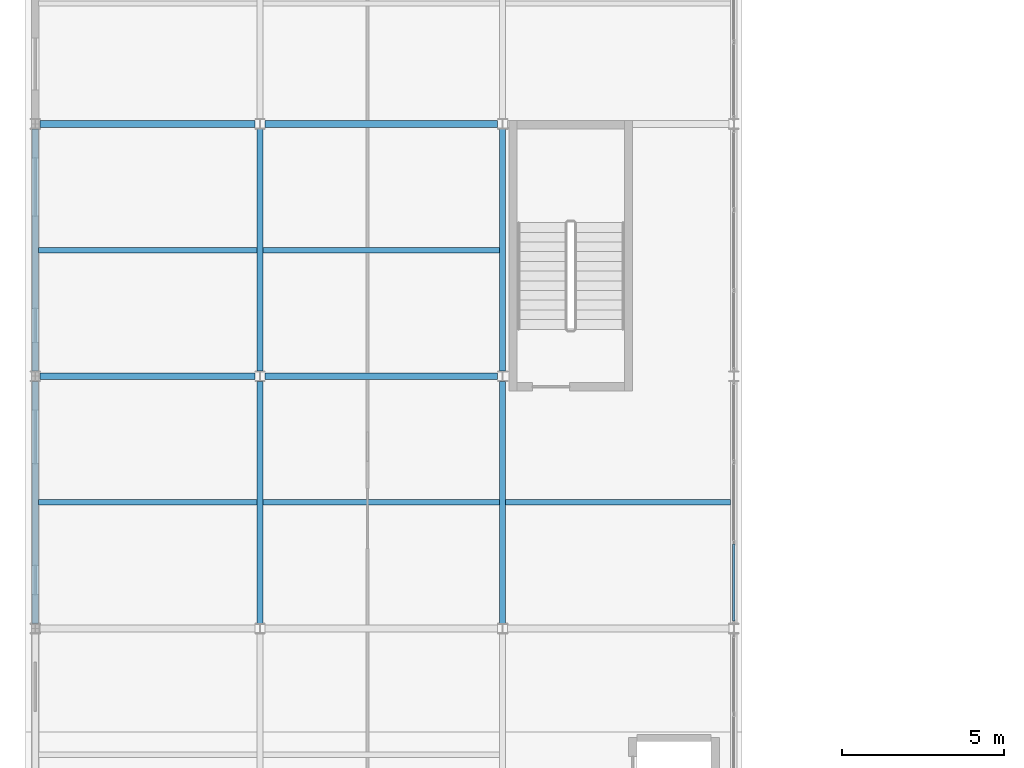
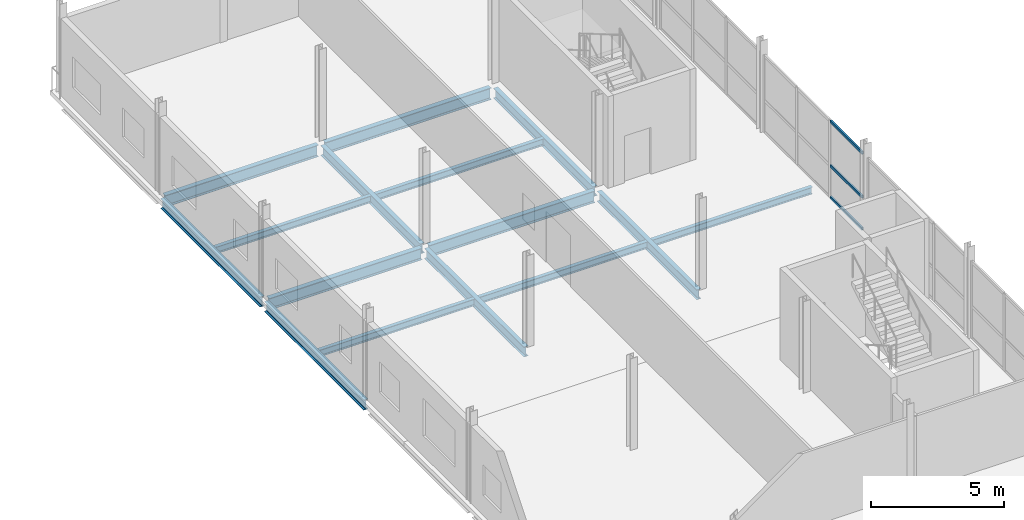
# One storey, part 11 of 60: 15 beams, 3 members, 1 element without a shape of its own.
"""IFC4 building model written with IfcOpenShell, lengths in metres."""

import ifcopenshell
import ifcopenshell.guid

model = None  # the IFC model being written
_history = None  # IfcOwnerHistory: only IFC2X3 demands one
_inside = {}  # id of a spatial element -> (the spatial element, [elements in it])
_under = {}  # id of a project, library or spatial element -> (it, [spatial elements below it])
_declared = {}  # id of a project -> (the project, [libraries it declares])
_typed = {}  # id of a type object -> (the type object, [elements of that type])
_made_of = {}  # id of a material, layer set ... -> (it, [elements and type objects made of it])


def new_model(schema):
    """Start an empty IFC model of exactly this schema.

    Asked for "IFC4X3", IfcOpenShell would pick the latest addendum, in which some entities
    have other attributes; the version numbers below select the first issue.
    IFC2X3 requires an IfcOwnerHistory on every rooted entity: one is made here for all.
    """
    global model, _history
    if schema == "IFC4X3":
        model = ifcopenshell.file(schema_version=(4, 3, 0, 0))
    else:
        model = ifcopenshell.file(schema=schema)
    _inside.clear()
    _under.clear()
    _declared.clear()
    _typed.clear()
    _made_of.clear()
    _history = None
    if model.schema == "IFC2X3":
        org = make("IfcOrganization", Name="unknown")
        user = make(
            "IfcPersonAndOrganization",
            ThePerson=make("IfcPerson", FamilyName="unknown"),
            TheOrganization=org,
        )
        app = make(
            "IfcApplication",
            ApplicationDeveloper=org,
            Version="unknown",
            ApplicationFullName="unknown",
            ApplicationIdentifier="unknown",
        )
        _history = make(
            "IfcOwnerHistory",
            OwningUser=user,
            OwningApplication=app,
            ChangeAction="ADDED",
            CreationDate=0,
        )
    return model


def make(cls, **values):
    """One entity of the class cls with the attributes given. An attribute that is None is left unset."""
    return model.create_entity(
        cls, **{name: value for name, value in values.items() if value is not None}
    )


def rooted(cls, **values):
    """An entity with a GlobalId (a new one), such as an element, a storey or a relation."""
    return make(cls, GlobalId=ifcopenshell.guid.new(), OwnerHistory=_history, **values)


def si_unit(unit_type, name, prefix=None):
    """IfcSIUnit, for example si_unit("LENGTHUNIT", "METRE", prefix="MILLI")."""
    return make("IfcSIUnit", UnitType=unit_type, Prefix=prefix, Name=name)


def assignment(units):
    """IfcUnitAssignment: the units of a project."""
    return None if units is None else make("IfcUnitAssignment", Units=units)


def point(xyz):
    """IfcCartesianPoint."""
    return None if xyz is None else make("IfcCartesianPoint", Coordinates=xyz)


def direction(xyz):
    """IfcDirection."""
    return None if xyz is None else make("IfcDirection", DirectionRatios=xyz)


def frame(location, z_axis=None, x_axis=None):
    """IfcAxis2Placement3D, a coordinate frame: its origin and axes. An axis left out is left unset."""
    return make(
        "IfcAxis2Placement3D",
        Location=point(location),
        Axis=direction(z_axis),
        RefDirection=direction(x_axis),
    )


def frame_2d(location, x_axis=None):
    """IfcAxis2Placement2D, a coordinate frame in the plane: its origin and x axis."""
    return make(
        "IfcAxis2Placement2D", Location=point(location), RefDirection=direction(x_axis)
    )


def origin():
    """The frame at (0, 0, 0) with its axes left unset."""
    return frame((0.0, 0.0, 0.0))


def origin_2d():
    """The frame at (0, 0) in the plane with its x axis left unset."""
    return frame_2d((0.0, 0.0))


def place(relative_to, where):
    """IfcLocalPlacement: puts the frame where relative to a parent placement (None: the world)."""
    return make(
        "IfcLocalPlacement", PlacementRelTo=relative_to, RelativePlacement=where
    )


def context(
    kind, dimensions, precision=None, world=None, true_north=None, identifier=None
):
    """IfcGeometricRepresentationContext, for example the 3D "Model" context."""
    return make(
        "IfcGeometricRepresentationContext",
        ContextIdentifier=identifier,
        ContextType=kind,
        CoordinateSpaceDimension=dimensions,
        Precision=precision,
        WorldCoordinateSystem=world,
        TrueNorth=true_north,
    )


def subcontext(parent, identifier, kind, view, scale=None):
    """IfcGeometricRepresentationSubContext, for example "Body" below "Model"."""
    return make(
        "IfcGeometricRepresentationSubContext",
        ContextIdentifier=identifier,
        ContextType=kind,
        ParentContext=parent,
        TargetScale=scale,
        TargetView=view,
    )


def project(units=None, contexts=None):
    """IfcProject with its units and contexts."""
    return rooted(
        "IfcProject",
        Name="project",
        RepresentationContexts=contexts,
        UnitsInContext=assignment(units),
    )


def spatial(cls, under=None, at=None, **own):
    """A site, building, storey or space (cls), placed at a placement, below another one or the project."""
    s = rooted(cls, ObjectPlacement=at, **own)
    if under is not None:
        _under.setdefault(under.id(), (under, []))[1].append(s)
    return s


def profile(cls, at=None, kind="AREA", **sizes):
    """A parametric profile (cls). Its sizes go by their IFC names, for example OverallWidth=200.0."""
    return make(cls, ProfileType=kind, Position=at, **sizes)


def hollow_rectangle(**sizes):
    """IfcRectangleHollowProfileDef."""
    return profile("IfcRectangleHollowProfileDef", **sizes)


def i_section(**sizes):
    """IfcIShapeProfileDef."""
    return profile("IfcIShapeProfileDef", **sizes)


def extrude(swept, where, along, depth):
    """IfcExtrudedAreaSolid: the profile swept, set in the frame where, extruded along a direction by depth."""
    return make(
        "IfcExtrudedAreaSolid",
        SweptArea=swept,
        Position=where,
        ExtrudedDirection=direction(along),
        Depth=depth,
    )


def shape(context_of_items, identifier, shape_type, items):
    """IfcShapeRepresentation: the items that make up one representation, for example the "Body"."""
    return make(
        "IfcShapeRepresentation",
        ContextOfItems=context_of_items,
        RepresentationIdentifier=identifier,
        RepresentationType=shape_type,
        Items=items,
    )


def material(Name=None, Category=None):
    """IfcMaterial."""
    return make("IfcMaterial", Name=Name, Category=Category)


def layer(
    of_material, thickness, ventilated=None, Name=None, Category=None, Priority=None
):
    """IfcMaterialLayer: one layer of a wall or slab, of a material (None: an air gap)."""
    return make(
        "IfcMaterialLayer",
        Material=of_material,
        LayerThickness=thickness,
        IsVentilated=ventilated,
        Name=Name,
        Category=Category,
        Priority=Priority,
    )


def layer_set(layers, Name=None):
    """IfcMaterialLayerSet."""
    return make("IfcMaterialLayerSet", MaterialLayers=layers, LayerSetName=Name)


def material_profile(
    of_material, cross_section, Name=None, Category=None, Priority=None
):
    """IfcMaterialProfile: a cross section and its material."""
    return make(
        "IfcMaterialProfile",
        Name=Name,
        Material=of_material,
        Profile=cross_section,
        Priority=Priority,
        Category=Category,
    )


def profile_set(profiles, Name=None, composite=None):
    """IfcMaterialProfileSet."""
    return make(
        "IfcMaterialProfileSet",
        Name=Name,
        MaterialProfiles=profiles,
        CompositeProfile=composite,
    )


def made_of(thing, what):
    """Note that an element or type object is made of a material, layer set ...; save() writes the relation."""
    if what is not None:
        _made_of.setdefault(what.id(), (what, []))[1].append(thing)
    return thing


def type_object(cls, material=None, **own):
    """A type object (cls), such as IfcWallType, which elements share."""
    return made_of(rooted(cls, **own), material)


def element(
    cls,
    number,
    at=None,
    inside=None,
    cuts=None,
    type_object=None,
    material=None,
    context=None,
    identifier="Body",
    shape_type=None,
    held_by="IfcProductDefinitionShape",
    body=None,
    shapes=None,
    **own,
):
    """One element of the class cls, such as IfcWall. Its Tag is "e" and its number.

    at: its placement. inside: the storey or other place that contains it. cuts: it is an
    opening in that element (IfcRelVoidsElement). A single representation is given by context,
    identifier, shape_type and body (its items); several are given by shapes. held_by: the class
    of the entity that holds the representations. save() writes the other relations.
    """
    e = rooted(cls, Tag="e%d" % number, ObjectPlacement=at, **own)
    if body is not None:
        shapes = [shape(context, identifier, shape_type, body)]
    if shapes is not None:
        e.Representation = make(held_by, Representations=shapes)
    if inside is not None:
        _inside.setdefault(inside.id(), (inside, []))[1].append(e)
    if cuts is not None:
        rooted(
            "IfcRelVoidsElement", RelatingBuildingElement=cuts, RelatedOpeningElement=e
        )
    if type_object is not None:
        _typed.setdefault(type_object.id(), (type_object, []))[1].append(e)
    return made_of(e, material)


def aggregate(whole, parts):
    """IfcRelAggregates: a whole, such as a stair, and the parts it consists of."""
    return rooted("IfcRelAggregates", RelatingObject=whole, RelatedObjects=parts)


def save(model, path):
    """Write the relations noted so far, then the file.

    IfcRelAggregates (storeys below a building ...), IfcRelContainedInSpatialStructure (elements
    in a storey), IfcRelDefinesByType, IfcRelAssociatesMaterial and IfcRelDeclares: one each for
    every whole, place, type object, material and project.
    """
    for whole, parts in _under.values():
        aggregate(whole, parts)
    for where, things in _inside.values():
        rooted(
            "IfcRelContainedInSpatialStructure",
            RelatedElements=things,
            RelatingStructure=where,
        )
    for kind, things in _typed.values():
        rooted("IfcRelDefinesByType", RelatedObjects=things, RelatingType=kind)
    for what, things in _made_of.values():
        rooted("IfcRelAssociatesMaterial", RelatedObjects=things, RelatingMaterial=what)
    for by, libraries in _declared.values():
        rooted("IfcRelDeclares", RelatingContext=by, RelatedDefinitions=libraries)
    model.write(path)


model = new_model("IFC4")

# Units and contexts
model_context = context("Model", 3, precision=1e-05, world=origin(), true_north=direction((0.0, 1.0)))
body_context = subcontext(model_context, "Body", "Model", "MODEL_VIEW")
ifc_project = project(units=[si_unit("LENGTHUNIT", "METRE"), si_unit("AREAUNIT", "SQUARE_METRE"), si_unit("VOLUMEUNIT", "CUBIC_METRE"), si_unit("PLANEANGLEUNIT", "RADIAN"), si_unit("MASSUNIT", "GRAM", prefix="KILO")], contexts=[model_context])

# Site, building, storey
site_placement = place(None, origin())
site = spatial("IfcSite", under=ifc_project, at=site_placement, CompositionType="ELEMENT")
building_placement = place(site_placement, origin())
building = spatial("IfcBuilding", under=site, at=building_placement, Name="Quillay Park Conservatory", CompositionType="ELEMENT")
storey_placement = place(building_placement, frame((0.0, 0.0, 9.89990234375)))
storey = spatial("IfcBuildingStorey", under=building, at=storey_placement, Name="L02", CompositionType="ELEMENT", Elevation=9.89990234375)

# Beams
ifc_material_1 = material(Name="Steel ASTM A992 Grade 50", Category="steel")
ifc_material_profile_1 = material_profile(ifc_material_1, i_section(OverallWidth=0.166015625, OverallDepth=0.31298828125, WebThickness=0.006591796875, FlangeThickness=0.01123046875, FilletRadius=0.010009765625, at=origin_2d()), Name="W310x45")
ifc_profile_set_1 = profile_set([ifc_material_profile_1], Name="Steel ASTM A992 Grade 50")
beam_type_1 = type_object("IfcBeamType", Name="COMPOSITE FLOOR JOIST W310 X45", PredefinedType="JOIST", material=ifc_profile_set_1)
beam_1_placement = place(storey_placement, frame((0.64599609375, 35.10009765625, -0.351318359375), z_axis=(1.0, 0.0, 0.0), x_axis=(0.0, 1.0, 0.0)))
element("IfcBeam", 1, at=beam_1_placement, inside=storey, type_object=beam_type_1, Name="L02 beam BM-V3J-1390", PredefinedType="JOIST", context=body_context, shape_type="SweptSolid", body=[
    extrude(i_section(OverallWidth=0.166015625, OverallDepth=0.31298828125, WebThickness=0.006591796875, FlangeThickness=0.01123046875, FilletRadius=0.010009765625, at=origin_2d()), origin(), (0.0, 0.0, 1.0), 6.758056640625),
])
beam_2_placement = place(storey_placement, frame((7.595947265625, 35.10009765625, -0.351318359375), z_axis=(1.0, 0.0, 0.0), x_axis=(0.0, 1.0, 0.0)))
element("IfcBeam", 2, at=beam_2_placement, inside=storey, type_object=beam_type_1, Name="L02 beam BM-V3J-1391", PredefinedType="JOIST", context=body_context, shape_type="SweptSolid", body=[
    extrude(i_section(OverallWidth=0.166015625, OverallDepth=0.31298828125, WebThickness=0.006591796875, FlangeThickness=0.01123046875, FilletRadius=0.010009765625, at=origin_2d()), origin(), (0.0, 0.0, 1.0), 7.30810546875),
])
beam_3_placement = place(storey_placement, frame((15.095947265625, 35.10009765625, -0.351318359375), z_axis=(1.0, 0.0, 0.0), x_axis=(0.0, 1.0, 0.0)))
element("IfcBeam", 3, at=beam_3_placement, inside=storey, type_object=beam_type_1, Name="L02 beam BM-V3J-1392", PredefinedType="JOIST", context=body_context, shape_type="SweptSolid", body=[
    extrude(i_section(OverallWidth=0.166015625, OverallDepth=0.31298828125, WebThickness=0.006591796875, FlangeThickness=0.01123046875, FilletRadius=0.010009765625, at=origin_2d()), origin(), (0.0, 0.0, 1.0), 6.9580078125),
])
beam_4_placement = place(storey_placement, frame((0.64599609375, 42.89990234375, -0.351318359375), z_axis=(1.0, 0.0, 0.0), x_axis=(0.0, 1.0, 0.0)))
element("IfcBeam", 4, at=beam_4_placement, inside=storey, type_object=beam_type_1, Name="L02 beam BM-V3J-1393", PredefinedType="JOIST", context=body_context, shape_type="SweptSolid", body=[
    extrude(i_section(OverallWidth=0.166015625, OverallDepth=0.31298828125, WebThickness=0.006591796875, FlangeThickness=0.01123046875, FilletRadius=0.010009765625, at=origin_2d()), origin(), (0.0, 0.0, 1.0), 6.758056640625),
])
beam_5_placement = place(storey_placement, frame((7.595947265625, 42.89990234375, -0.351318359375), z_axis=(1.0, 0.0, 0.0), x_axis=(0.0, 1.0, 0.0)))
element("IfcBeam", 5, at=beam_5_placement, inside=storey, type_object=beam_type_1, Name="L02 beam BM-V3J-1394", PredefinedType="JOIST", context=body_context, shape_type="SweptSolid", body=[
    extrude(i_section(OverallWidth=0.166015625, OverallDepth=0.31298828125, WebThickness=0.006591796875, FlangeThickness=0.01123046875, FilletRadius=0.010009765625, at=origin_2d()), origin(), (0.0, 0.0, 1.0), 7.30810546875),
])

# Curtain wall, members
ifc_material_2 = material(Name="Thermally Broken Anodised Aluminium 6063-T6", Category="aluminium")
ifc_layer = layer(ifc_material_2, 0.1650390625)
ifc_layer_set = layer_set([ifc_layer], Name="UNITISED CURTAIN WALL PODIUM (Thermally Broken Anodised Aluminium 6063-T6)")
curtain_wall_type = type_object("IfcCurtainWallType", Name="UNITISED CURTAIN WALL PODIUM", PredefinedType="USERDEFINED", material=ifc_layer_set)
curtain_wall_placement = place(storey_placement, origin())
curtain_wall = element("IfcCurtainWall", 6, at=curtain_wall_placement, inside=storey, type_object=curtain_wall_type, Name="L02 Unitised Curtain Wall 207", ObjectType="UNITISED CURTAIN WALL", PredefinedType="USERDEFINED")
ifc_material_3 = material(Name="Thermally Broken Anodised Aluminium 6063-T6", Category="aluminium")
ifc_material_profile_2 = material_profile(ifc_material_3, hollow_rectangle(XDim=0.070068359375, YDim=0.1298828125, WallThickness=0.003173828125, at=origin_2d()), Name="AL70x130x3.2")
ifc_profile_set_2 = profile_set([ifc_material_profile_2], Name="Thermally Broken Anodised Aluminium 6063-T6")
member_type = type_object("IfcMemberType", Name="CURTAIN WALL TRANSOM 70 X130", PredefinedType="USERDEFINED", material=ifc_profile_set_2)
member_1_placement = place(storey_placement, frame((22.14990234375, 33.818359375, 0.03515625), z_axis=(0.0, -1.0, 0.0), x_axis=(1.0, 0.0, 0.0)))
member_1 = element("IfcMember", 7, at=member_1_placement, type_object=member_type, Name="CW-P1 transom 3.1", ObjectType="TRANSOM", PredefinedType="USERDEFINED", context=body_context, shape_type="SweptSolid", body=[
    extrude(hollow_rectangle(XDim=0.070068359375, YDim=0.1298828125, WallThickness=0.003173828125, at=origin_2d()), origin(), (0.0, 0.0, 1.0), 2.388427734375),
])
member_2_placement = place(storey_placement, frame((22.14990234375, 33.818359375, 1.49267578125), z_axis=(0.0, -1.0, 0.0), x_axis=(1.0, 0.0, 0.0)))
member_2 = element("IfcMember", 8, at=member_2_placement, type_object=member_type, Name="CW-P1 transom 3.2", ObjectType="TRANSOM", PredefinedType="USERDEFINED", context=body_context, shape_type="SweptSolid", body=[
    extrude(hollow_rectangle(XDim=0.070068359375, YDim=0.1298828125, WallThickness=0.003173828125, at=origin_2d()), origin(), (0.0, 0.0, 1.0), 2.388427734375),
])
member_3_placement = place(storey_placement, frame((22.14990234375, 33.818359375, 3.51904296875), z_axis=(0.0, -1.0, 0.0), x_axis=(1.0, 0.0, 0.0)))
member_3 = element("IfcMember", 9, at=member_3_placement, type_object=member_type, Name="CW-P1 transom 3.3", ObjectType="TRANSOM", PredefinedType="USERDEFINED", context=body_context, shape_type="SweptSolid", body=[
    extrude(hollow_rectangle(XDim=0.070068359375, YDim=0.1298828125, WallThickness=0.003173828125, at=origin_2d()), origin(), (0.0, 0.0, 1.0), 2.388427734375),
])
aggregate(curtain_wall, [member_1, member_2, member_3])

# Beams
ifc_material_4 = material(Name="Steel ASTM A992 Grade 50", Category="steel")
ifc_material_profile_3 = material_profile(ifc_material_4, i_section(OverallWidth=0.19189453125, OverallDepth=0.462890625, WebThickness=0.010498046875, FlangeThickness=0.017578125, FilletRadius=0.012939453125, at=origin_2d()), Name="W460x89")
ifc_profile_set_3 = profile_set([ifc_material_profile_3], Name="Steel ASTM A992 Grade 50")
beam_type_2 = type_object("IfcBeamType", Name="PRIMARY FLOOR GIRDER W460 X89", PredefinedType="BEAM", material=ifc_profile_set_3)
for number, where, z_axis, x_axis, name in (
    (10, (0.550048828125, 31.361572265625, -0.426513671875), (0.0, 1.0, 0.0), (-1.0, 0.0, 0.0), "L02 beam BM-V3Y-1354"),
    (11, (0.550048828125, 39.16162109375, -0.426513671875), (0.0, 1.0, 0.0), (-1.0, 0.0, 0.0), "L02 beam BM-V3Y-1355"),
    (12, (7.5, 31.361572265625, -0.426513671875), (0.0, 1.0, 0.0), (-1.0, 0.0, 0.0), "L02 beam BM-V3Y-1361"),
    (13, (7.5, 39.16162109375, -0.426513671875), (0.0, 1.0, 0.0), (-1.0, 0.0, 0.0), "L02 beam BM-V3Y-1362"),
    (14, (15.0, 31.361572265625, -0.426513671875), (0.0, 1.0, 0.0), (-1.0, 0.0, 0.0), "L02 beam BM-V3Y-1368"),
    (15, (15.0, 39.16162109375, -0.426513671875), (0.0, 1.0, 0.0), (-1.0, 0.0, 0.0), "L02 beam BM-V3Y-1369"),
):
    element("IfcBeam", number, at=place(storey_placement, frame(where, z_axis=z_axis, x_axis=x_axis)), inside=storey, type_object=beam_type_2, Name=name, PredefinedType="BEAM", context=body_context, shape_type="SweptSolid", body=[
        extrude(i_section(OverallWidth=0.19189453125, OverallDepth=0.462890625, WebThickness=0.010498046875, FlangeThickness=0.017578125, FilletRadius=0.012939453125, at=origin_2d()), origin(), (0.0, 0.0, 1.0), 7.476806640625),
    ])
ifc_material_5 = material(Name="Steel ASTM A992 Grade 50", Category="steel")
ifc_material_profile_4 = material_profile(ifc_material_5, i_section(OverallWidth=0.2109375, OverallDepth=0.5390625, WebThickness=0.01171875, FlangeThickness=0.018798828125, FilletRadius=0.013916015625, at=origin_2d()), Name="W530x109")
ifc_profile_set_4 = profile_set([ifc_material_profile_4], Name="Steel ASTM A992 Grade 50")
beam_type_3 = type_object("IfcBeamType", Name="PRIMARY FLOOR GIRDER W530 X109", PredefinedType="BEAM", material=ifc_profile_set_4)
beam_6_placement = place(storey_placement, frame((0.70458984375, 39.0, -0.46435546875), z_axis=(1.0, 0.0, 0.0), x_axis=(0.0, 1.0, 0.0)))
element("IfcBeam", 16, at=beam_6_placement, inside=storey, type_object=beam_type_3, Name="L02 beam BM-V3X-1342", PredefinedType="BEAM", context=body_context, shape_type="SweptSolid", body=[
    extrude(i_section(OverallWidth=0.2109375, OverallDepth=0.5390625, WebThickness=0.01171875, FlangeThickness=0.018798828125, FilletRadius=0.013916015625, at=origin_2d()), origin(), (0.0, 0.0, 1.0), 6.640869140625),
])
beam_7_placement = place(storey_placement, frame((7.654541015625, 39.0, -0.46435546875), z_axis=(1.0, 0.0, 0.0), x_axis=(0.0, 1.0, 0.0)))
element("IfcBeam", 17, at=beam_7_placement, inside=storey, type_object=beam_type_3, Name="L02 beam BM-V3X-1343", PredefinedType="BEAM", context=body_context, shape_type="SweptSolid", body=[
    extrude(i_section(OverallWidth=0.2109375, OverallDepth=0.5390625, WebThickness=0.01171875, FlangeThickness=0.018798828125, FilletRadius=0.013916015625, at=origin_2d()), origin(), (0.0, 0.0, 1.0), 7.19091796875),
])
beam_8_placement = place(storey_placement, frame((0.70458984375, 46.800048828125, -0.46435546875), z_axis=(1.0, 0.0, 0.0), x_axis=(0.0, 1.0, 0.0)))
element("IfcBeam", 18, at=beam_8_placement, inside=storey, type_object=beam_type_3, Name="L02 beam BM-V3X-1344", PredefinedType="BEAM", context=body_context, shape_type="SweptSolid", body=[
    extrude(i_section(OverallWidth=0.2109375, OverallDepth=0.5390625, WebThickness=0.01171875, FlangeThickness=0.018798828125, FilletRadius=0.013916015625, at=origin_2d()), origin(), (0.0, 0.0, 1.0), 6.640869140625),
])
beam_9_placement = place(storey_placement, frame((7.654541015625, 46.800048828125, -0.46435546875), z_axis=(1.0, 0.0, 0.0), x_axis=(0.0, 1.0, 0.0)))
element("IfcBeam", 19, at=beam_9_placement, inside=storey, type_object=beam_type_3, Name="L02 beam BM-V3X-1345", PredefinedType="BEAM", context=body_context, shape_type="SweptSolid", body=[
    extrude(i_section(OverallWidth=0.2109375, OverallDepth=0.5390625, WebThickness=0.01171875, FlangeThickness=0.018798828125, FilletRadius=0.013916015625, at=origin_2d()), origin(), (0.0, 0.0, 1.0), 7.19091796875),
])

save(model, "model.ifc")
